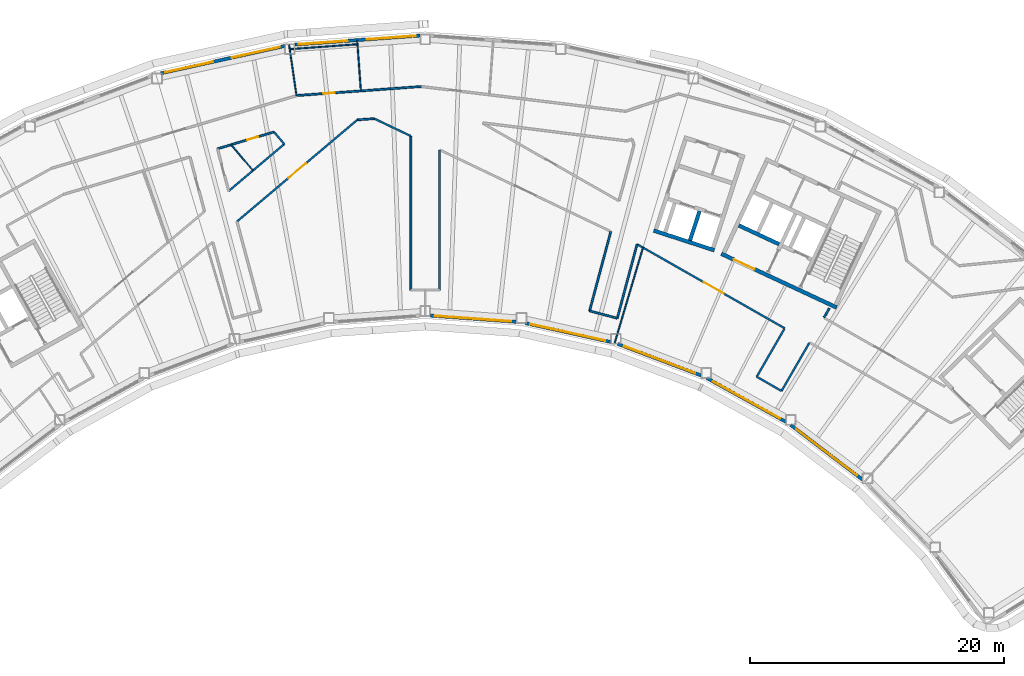
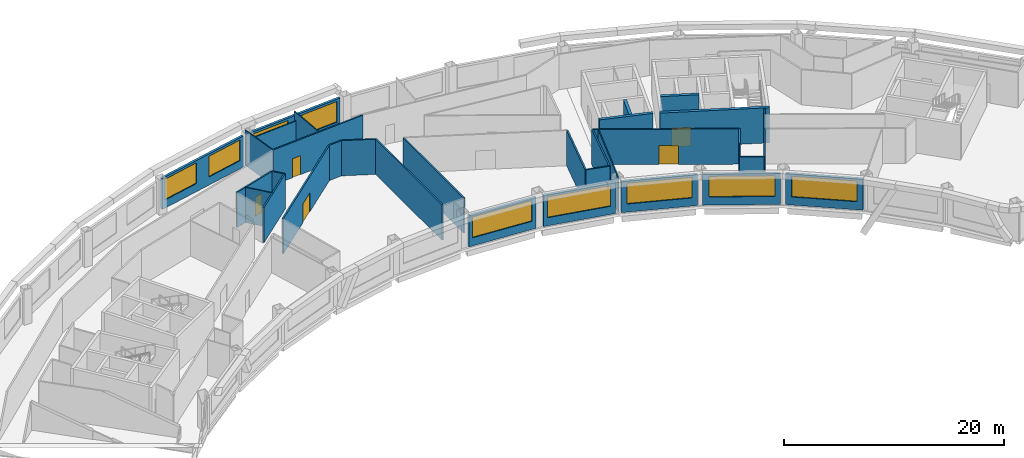
# One storey, part 7 of 13: 33 walls, 9 windows, 5 doors, 14 openings.
"""IFC4 building model written with IfcOpenShell, lengths in metres."""

from ifc_helpers import new_model, si_unit, direction, frame, frame_2d, origin, place, context, subcontext, project, spatial, rectangle, extrude, material, layer, layer_set, type_object, element, fill, save


model = new_model("IFC4")

# Units and contexts
model_context = context("Model", 3, precision=1e-05, world=origin(), true_north=direction((0.0, 1.0)))
body_context = subcontext(model_context, "Body", "Model", "MODEL_VIEW")
ifc_project = project(units=[si_unit("LENGTHUNIT", "METRE"), si_unit("AREAUNIT", "SQUARE_METRE"), si_unit("VOLUMEUNIT", "CUBIC_METRE"), si_unit("PLANEANGLEUNIT", "RADIAN"), si_unit("MASSUNIT", "GRAM", prefix="KILO")], contexts=[model_context])

# Site, building, storey
site_placement = place(None, origin())
site = spatial("IfcSite", under=ifc_project, at=site_placement, CompositionType="ELEMENT")
building_placement = place(site_placement, origin())
building = spatial("IfcBuilding", under=site, at=building_placement, Name="Tuul Gate Civic Tower", CompositionType="ELEMENT")
storey_placement = place(building_placement, frame((0.0, 0.0, 340.699951171875)))
storey = spatial("IfcBuildingStorey", under=building, at=storey_placement, Name="Level 77", CompositionType="ELEMENT", Elevation=340.699951171875)

# Wall, opening, door
ifc_material_1 = material(Name="Concrete C50/60", Category="concrete")
ifc_layer_1 = layer(ifc_material_1, 0.300048828125)
ifc_layer_set_1 = layer_set([ifc_layer_1], Name="Concrete C50/60")
wall_type_1 = type_object("IfcWallType", Name="Core wall C50/60", PredefinedType="SHEAR", material=ifc_layer_set_1)
wall_1_placement = place(storey_placement, frame((34.5283203125, -7.25, 0.0), z_axis=(0.0, 0.0, 1.0), x_axis=(-0.906310338845, 0.422612789327, 0.0)))
wall_1 = element("IfcWall", 1, at=wall_1_placement, inside=storey, type_object=wall_type_1, Name="Core wall", PredefinedType="SHEAR", context=body_context, shape_type="SweptSolid", body=[
    extrude(rectangle(XDim=9.999755859375, YDim=0.300048828125, at=frame_2d((5.0, 0.0))), origin(), (0.0, 0.0, 1.0), 3.900146484375),
])
opening_1_placement = place(wall_1_placement, frame((7.125, 0.0, 0.0)))
opening_1 = element("IfcOpeningElement", 2, at=opening_1_placement, cuts=wall_1, Name="Opening LB-E3-LOBBY-1", PredefinedType="OPENING", context=body_context, shape_type="SweptSolid", body=[
    extrude(rectangle(XDim=1.800048828125, YDim=2.10009765625, at=frame_2d((0.89990234375, 1.050048828125))), frame((0.0, 0.16015625, 0.0), z_axis=(0.0, -1.0, 0.0), x_axis=(1.0, 0.0, 0.0)), (0.0, 0.0, 1.0), 0.320068359375),
])
ifc_material_2 = material(Name="Steel", Category="steel")
door_type_1 = type_object("IfcDoorType", Name="Lobby door", OperationType="DOUBLE_DOOR_SINGLE_SWING", PredefinedType="DOOR", material=ifc_material_2)
door_1_placement = place(opening_1_placement, frame((1.800048828125, 0.0, 0.0), z_axis=(0.0, 0.0, 1.0), x_axis=(-1.0, 0.0, 0.0)))
door_1 = element("IfcDoor", 3, at=door_1_placement, inside=storey, type_object=door_type_1, Name="Lobby door E3-LOBBY", OperationType="DOUBLE_DOOR_SINGLE_SWING", OverallHeight=2.10009765625, OverallWidth=1.800048828125, PredefinedType="DOOR", context=body_context, shape_type="SweptSolid", body=[
    extrude(rectangle(XDim=1.800048828125, YDim=2.10009765625, at=frame_2d((0.900146484375, 1.050048828125))), frame((0.0, 0.02490234375, 0.0), z_axis=(0.0, -1.0, 0.0), x_axis=(1.0, 0.0, 0.0)), (0.0, 0.0, 1.0), 0.050048828125),
])
fill(opening_1, door_1)

# Wall
wall_2_placement = place(storey_placement, frame((30.0078125, -2.2734375, 0.0), z_axis=(0.0, 0.0, 1.0), x_axis=(-0.90630071767, 0.422633421716, 0.0)))
element("IfcWall", 4, at=wall_2_placement, inside=storey, type_object=wall_type_1, Name="Core wall", PredefinedType="SHEAR", context=body_context, shape_type="SweptSolid", body=[
    extrude(rectangle(XDim=3.5, YDim=0.300048828125, at=frame_2d((1.75, 0.0))), origin(), (0.0, 0.0, 1.0), 3.900146484375),
])

# Wall, opening, door
ifc_material_3 = material(Name="Gypsum board partition")
ifc_layer_2 = layer(ifc_material_3, 0.14990234375)
ifc_layer_set_2 = layer_set([ifc_layer_2], Name="Gypsum board partition")
wall_type_2 = type_object("IfcWallType", Name="Corridor wall P150", PredefinedType="PARTITIONING", material=ifc_layer_set_2)
wall_3_placement = place(storey_placement, frame((-7.875244140625, 9.413818359375, 0.0), z_axis=(0.0, 0.0, 1.0), x_axis=(0.99738628097, 0.07225376484, 0.0)))
wall_3 = element("IfcWall", 5, at=wall_3_placement, inside=storey, type_object=wall_type_2, Name="p016", PredefinedType="PARTITIONING", context=body_context, shape_type="SweptSolid", body=[
    extrude(rectangle(XDim=9.788818359375, YDim=0.14990234375, at=frame_2d((4.89453125, 0.0))), origin(), (0.0, 0.0, 1.0), 3.900146484375),
])
opening_2_placement = place(wall_3_placement, frame((2.060546875, 0.0, 0.0)))
opening_2 = element("IfcOpeningElement", 6, at=opening_2_placement, cuts=wall_3, Name="Opening AC-D03", PredefinedType="OPENING", context=body_context, shape_type="SweptSolid", body=[
    extrude(rectangle(XDim=0.89990234375, YDim=2.10009765625, at=frame_2d((0.449951171875, 1.050048828125))), frame((0.0, 0.0849609375, 0.0), z_axis=(0.0, -1.0, 0.0), x_axis=(1.0, 0.0, 0.0)), (0.0, 0.0, 1.0), 0.169921875),
])
ifc_material_4 = material(Name="Timber door leaf", Category="wood")
door_type_2 = type_object("IfcDoorType", Name="Door D09", OperationType="NOTDEFINED", PredefinedType="DOOR", material=ifc_material_4)
door_2_placement = place(opening_2_placement, origin())
door_2 = element("IfcDoor", 7, at=door_2_placement, inside=storey, type_object=door_type_2, Name="Door AC-D03", OperationType="SINGLE_SWING_RIGHT", OverallHeight=2.10009765625, OverallWidth=0.89990234375, PredefinedType="DOOR", context=body_context, shape_type="SweptSolid", body=[
    extrude(rectangle(XDim=0.89990234375, YDim=2.10009765625, at=frame_2d((0.449951171875, 1.050048828125))), frame((0.0, 0.02490234375, 0.0), z_axis=(0.0, -1.0, 0.0), x_axis=(1.0, 0.0, 0.0)), (0.0, 0.0, 1.0), 0.050048828125),
])
fill(opening_2, door_2)

wall_4_placement = place(storey_placement, frame((18.865966796875, -2.285888671875, 0.0), z_axis=(0.0, 0.0, 1.0), x_axis=(0.868901423434, -0.494985167813, 0.0)))
wall_4 = element("IfcWall", 8, at=wall_4_placement, inside=storey, type_object=wall_type_2, Name="p026", PredefinedType="PARTITIONING", context=body_context, shape_type="SweptSolid", body=[
    extrude(rectangle(XDim=13.313232421875, YDim=0.14990234375, at=frame_2d((6.65673828125, 0.0))), origin(), (0.0, 0.0, 1.0), 3.900146484375),
])
opening_3_placement = place(wall_4_placement, frame((6.012939453125, 0.0, 0.0)))
opening_3 = element("IfcOpeningElement", 9, at=opening_3_placement, cuts=wall_4, Name="Opening AC-D06", PredefinedType="OPENING", context=body_context, shape_type="SweptSolid", body=[
    extrude(rectangle(XDim=1.800048828125, YDim=2.10009765625, at=frame_2d((0.89990234375, 1.050048828125))), frame((0.0, 0.0849609375, 0.0), z_axis=(0.0, -1.0, 0.0), x_axis=(1.0, 0.0, 0.0)), (0.0, 0.0, 1.0), 0.169921875),
])
ifc_material_5 = material(Name="Timber door leaf, double", Category="wood")
door_type_3 = type_object("IfcDoorType", Name="Door D18", OperationType="DOUBLE_DOOR_SINGLE_SWING", PredefinedType="DOOR", material=ifc_material_5)
door_3_placement = place(opening_3_placement, frame((1.800048828125, 0.0, 0.0), z_axis=(0.0, 0.0, 1.0), x_axis=(-1.0, 0.0, 0.0)))
door_3 = element("IfcDoor", 10, at=door_3_placement, inside=storey, type_object=door_type_3, Name="Door AC-D06", OperationType="DOUBLE_DOOR_SINGLE_SWING", OverallHeight=2.10009765625, OverallWidth=1.800048828125, PredefinedType="DOOR", context=body_context, shape_type="SweptSolid", body=[
    extrude(rectangle(XDim=1.800048828125, YDim=2.10009765625, at=frame_2d((0.900146484375, 1.050048828125))), frame((0.0, 0.02490234375, 0.0), z_axis=(0.0, -1.0, 0.0), x_axis=(1.0, 0.0, 0.0)), (0.0, 0.0, 1.0), 0.050048828125),
])
fill(opening_3, door_3)

# Walls
wall_5_placement = place(storey_placement, frame((28.24951171875, -12.687744140625, 0.0), z_axis=(0.0, 0.0, 1.0), x_axis=(0.499999494409, 0.866025695687, 0.0)))
element("IfcWall", 11, at=wall_5_placement, inside=storey, type_object=wall_type_2, Name="p032", PredefinedType="PARTITIONING", context=body_context, shape_type="SweptSolid", body=[
    extrude(rectangle(XDim=4.37353515625, YDim=0.14990234375, at=frame_2d((2.186767578125, 0.0))), origin(), (0.0, 0.0, 1.0), 3.900146484375),
])
wall_6_placement = place(storey_placement, frame((28.24951171875, -12.687744140625, 0.0), z_axis=(0.0, 0.0, 1.0), x_axis=(0.866017533419, -0.500013631625, 0.0)))
element("IfcWall", 12, at=wall_6_placement, inside=storey, type_object=wall_type_2, Name="p033", PredefinedType="PARTITIONING", context=body_context, shape_type="SweptSolid", body=[
    extrude(rectangle(XDim=2.25, YDim=0.14990234375, at=frame_2d((1.125, 0.0))), origin(), (0.0, 0.0, 1.0), 3.900146484375),
])
wall_7_placement = place(storey_placement, frame((30.197998046875, -13.812744140625, 0.0), z_axis=(0.0, 0.0, 1.0), x_axis=(0.50001794124, 0.866015045157, 0.0)))
element("IfcWall", 13, at=wall_7_placement, inside=storey, type_object=wall_type_2, Name="p034", PredefinedType="PARTITIONING", context=body_context, shape_type="SweptSolid", body=[
    extrude(rectangle(XDim=4.386474609375, YDim=0.14990234375, at=frame_2d((2.193359375, 0.0))), origin(), (0.0, 0.0, 1.0), 3.900146484375),
])
wall_8_placement = place(storey_placement, frame((33.536376953125, -8.030517578125, 0.0), z_axis=(0.0, 0.0, 1.0), x_axis=(0.500189359247, 0.865916049566, 0.0)))
element("IfcWall", 14, at=wall_8_placement, inside=storey, type_object=wall_type_2, Name="p035", PredefinedType="PARTITIONING", context=body_context, shape_type="SweptSolid", body=[
    extrude(rectangle(XDim=0.829833984375, YDim=0.14990234375, at=frame_2d((0.4150390625, 0.0))), origin(), (0.0, 0.0, 1.0), 3.900146484375),
])
wall_9_placement = place(storey_placement, frame((3.31689453125, -5.873779296875, 0.0), z_axis=(0.0, 0.0, 1.0), x_axis=(0.0, 1.0, 0.0)))
element("IfcWall", 15, at=wall_9_placement, inside=storey, type_object=wall_type_2, Name="p037", PredefinedType="PARTITIONING", context=body_context, shape_type="SweptSolid", body=[
    extrude(rectangle(XDim=10.9931640625, YDim=0.14990234375, at=frame_2d((5.49658203125, 0.0))), origin(), (0.0, 0.0, 1.0), 3.900146484375),
])
wall_10_placement = place(storey_placement, frame((-1.807861328125, 7.595947265625, 0.0), z_axis=(0.0, 0.0, 1.0), x_axis=(0.90255363089, -0.430577453389, 0.0)))
element("IfcWall", 16, at=wall_10_placement, inside=storey, type_object=wall_type_2, Name="p038", PredefinedType="PARTITIONING", context=body_context, shape_type="SweptSolid", body=[
    extrude(rectangle(XDim=3.1787109375, YDim=0.14990234375, at=frame_2d((1.58935546875, 0.0))), origin(), (0.0, 0.0, 1.0), 3.900146484375),
])
wall_11_placement = place(storey_placement, frame((15.110107421875, -7.513427734375, 0.0), z_axis=(0.0, 0.0, 1.0), x_axis=(0.258813089189, 0.965927422152, 0.0)))
element("IfcWall", 17, at=wall_11_placement, inside=storey, type_object=wall_type_2, Name="p040", PredefinedType="PARTITIONING", context=body_context, shape_type="SweptSolid", body=[
    extrude(rectangle(XDim=6.444580078125, YDim=0.14990234375, at=frame_2d((3.22216796875, 0.0))), origin(), (0.0, 0.0, 1.0), 3.900146484375),
])
wall_12_placement = place(storey_placement, frame((15.110107421875, -7.513427734375, 0.0), z_axis=(0.0, 0.0, 1.0), x_axis=(0.965926253902, -0.258817449225, 0.0)))
element("IfcWall", 18, at=wall_12_placement, inside=storey, type_object=wall_type_2, Name="p042", PredefinedType="PARTITIONING", context=body_context, shape_type="SweptSolid", body=[
    extrude(rectangle(XDim=2.249755859375, YDim=0.14990234375, at=frame_2d((1.125, 0.0))), origin(), (0.0, 0.0, 1.0), 3.900146484375),
])
wall_13_placement = place(storey_placement, frame((17.283203125, -8.095703125, 0.0), z_axis=(0.0, 0.0, 1.0), x_axis=(0.258894566338, 0.965905587271, 0.0)))
element("IfcWall", 19, at=wall_13_placement, inside=storey, type_object=wall_type_2, Name="p043", PredefinedType="PARTITIONING", context=body_context, shape_type="SweptSolid", body=[
    extrude(rectangle(XDim=6.006103515625, YDim=0.14990234375, at=frame_2d((3.0029296875, 0.0))), origin(), (0.0, 0.0, 1.0), 3.900146484375),
])

# Wall, opening, door
wall_14_placement = place(storey_placement, frame((-12.59912109375, -0.48486328125, 0.0), z_axis=(0.0, 0.0, 1.0), x_axis=(0.763915983637, 0.645315713387, 0.0)))
wall_14 = element("IfcWall", 20, at=wall_14_placement, inside=storey, type_object=wall_type_2, Name="p051", PredefinedType="PARTITIONING", context=body_context, shape_type="SweptSolid", body=[
    extrude(rectangle(XDim=12.37158203125, YDim=0.14990234375, at=frame_2d((6.185791015625, 0.0))), origin(), (0.0, 0.0, 1.0), 3.900146484375),
])
opening_4_placement = place(wall_14_placement, frame((5.285888671875, 0.0, 0.0)))
opening_4 = element("IfcOpeningElement", 21, at=opening_4_placement, cuts=wall_14, Name="Opening AC-D08", PredefinedType="OPENING", context=body_context, shape_type="SweptSolid", body=[
    extrude(rectangle(XDim=1.800048828125, YDim=2.10009765625, at=frame_2d((0.89990234375, 1.050048828125))), frame((0.0, 0.0849609375, 0.0), z_axis=(0.0, -1.0, 0.0), x_axis=(1.0, 0.0, 0.0)), (0.0, 0.0, 1.0), 0.169921875),
])
door_4_placement = place(opening_4_placement, frame((1.800048828125, 0.0, 0.0), z_axis=(0.0, 0.0, 1.0), x_axis=(-1.0, 0.0, 0.0)))
door_4 = element("IfcDoor", 22, at=door_4_placement, inside=storey, type_object=door_type_3, Name="Door AC-D08", OperationType="DOUBLE_DOOR_SINGLE_SWING", OverallHeight=2.10009765625, OverallWidth=1.800048828125, PredefinedType="DOOR", context=body_context, shape_type="SweptSolid", body=[
    extrude(rectangle(XDim=1.800048828125, YDim=2.10009765625, at=frame_2d((0.900146484375, 1.050048828125))), frame((0.0, 0.02490234375, 0.0), z_axis=(0.0, -1.0, 0.0), x_axis=(1.0, 0.0, 0.0)), (0.0, 0.0, 1.0), 0.050048828125),
])
fill(opening_4, door_4)

# Walls
wall_15_placement = place(storey_placement, frame((-3.14013671875, 7.5009765625, 0.0), z_axis=(0.0, 0.0, 1.0), x_axis=(0.997384411687, 0.072279563672, 0.0)))
element("IfcWall", 23, at=wall_15_placement, inside=storey, type_object=wall_type_2, Name="p052", PredefinedType="PARTITIONING", context=body_context, shape_type="SweptSolid", body=[
    extrude(rectangle(XDim=1.327392578125, YDim=0.14990234375, at=frame_2d((0.66357421875, 0.0))), origin(), (0.0, 0.0, 1.0), 3.900146484375),
])
wall_16_placement = place(storey_placement, frame((1.06689453125, -5.873779296875, 0.0), z_axis=(0.0, 0.0, 1.0), x_axis=(0.0, 1.0, 0.0)))
element("IfcWall", 24, at=wall_16_placement, inside=storey, type_object=wall_type_2, Name="p053", PredefinedType="PARTITIONING", context=body_context, shape_type="SweptSolid", body=[
    extrude(rectangle(XDim=12.085693359375, YDim=0.14990234375, at=frame_2d((6.04296875, 0.0))), origin(), (0.0, 0.0, 1.0), 3.900146484375),
])

# Wall, opening, door
wall_17_placement = place(storey_placement, frame((-14.14013671875, 5.228515625, 0.0), z_axis=(0.0, 0.0, 1.0), x_axis=(0.958755114253, 0.28423340918, 0.0)))
wall_17 = element("IfcWall", 25, at=wall_17_placement, inside=storey, type_object=wall_type_2, Name="p070", PredefinedType="PARTITIONING", context=body_context, shape_type="SweptSolid", body=[
    extrude(rectangle(XDim=4.640869140625, YDim=0.14990234375, at=frame_2d((2.3203125, 0.0))), origin(), (0.0, 0.0, 1.0), 3.900146484375),
])
opening_5_placement = place(wall_17_placement, frame((2.43310546875, 0.0, 0.0)))
opening_5 = element("IfcOpeningElement", 26, at=opening_5_placement, cuts=wall_17, Name="Opening AC-D11", PredefinedType="OPENING", context=body_context, shape_type="SweptSolid", body=[
    extrude(rectangle(XDim=0.89990234375, YDim=2.10009765625, at=frame_2d((0.449951171875, 1.050048828125))), frame((0.0, 0.0849609375, 0.0), z_axis=(0.0, -1.0, 0.0), x_axis=(1.0, 0.0, 0.0)), (0.0, 0.0, 1.0), 0.169921875),
])
door_5_placement = place(opening_5_placement, frame((0.89990234375, 0.0, 0.0), z_axis=(0.0, 0.0, 1.0), x_axis=(-1.0, 0.0, 0.0)))
door_5 = element("IfcDoor", 27, at=door_5_placement, inside=storey, type_object=door_type_2, Name="Door AC-D11", OperationType="SINGLE_SWING_RIGHT", OverallHeight=2.10009765625, OverallWidth=0.89990234375, PredefinedType="DOOR", context=body_context, shape_type="SweptSolid", body=[
    extrude(rectangle(XDim=0.89990234375, YDim=2.10009765625, at=frame_2d((0.449951171875, 1.050048828125))), frame((0.0, 0.02490234375, 0.0), z_axis=(0.0, -1.0, 0.0), x_axis=(1.0, 0.0, 0.0)), (0.0, 0.0, 1.0), 0.050048828125),
])
fill(opening_5, door_5)

# Walls
wall_18_placement = place(storey_placement, frame((-9.690673828125, 6.547607421875, 0.0), z_axis=(0.0, 0.0, 1.0), x_axis=(0.645300357317, -0.763928955366, 0.0)))
element("IfcWall", 28, at=wall_18_placement, inside=storey, type_object=wall_type_2, Name="p071", PredefinedType="PARTITIONING", context=body_context, shape_type="SweptSolid", body=[
    extrude(rectangle(XDim=1.2451171875, YDim=0.14990234375, at=frame_2d((0.62255859375, 0.0))), origin(), (0.0, 0.0, 1.0), 3.900146484375),
])
wall_19_placement = place(storey_placement, frame((-13.2509765625, 1.909912109375, 0.0), z_axis=(0.0, 0.0, 1.0), x_axis=(0.763895070032, 0.645340469815, 0.0)))
element("IfcWall", 29, at=wall_19_placement, inside=storey, type_object=wall_type_2, Name="p073", PredefinedType="PARTITIONING", context=body_context, shape_type="SweptSolid", body=[
    extrude(rectangle(XDim=5.712646484375, YDim=0.14990234375, at=frame_2d((2.8564453125, 0.0))), origin(), (0.0, 0.0, 1.0), 3.900146484375),
])

# Wall, openings, windows
ifc_material_6 = material(Name="Precast concrete C40/50", Category="concrete")
ifc_layer_3 = layer(ifc_material_6, 0.25)
ifc_layer_set_3 = layer_set([ifc_layer_3], Name="Precast concrete C40/50")
wall_type_3 = type_object("IfcWallType", Name="External wall", PredefinedType="STANDARD", material=ifc_layer_set_3)
wall_20_placement = place(storey_placement, frame((1.7919921875, 14.124755859375, 0.0), z_axis=(0.0, 0.0, 1.0), x_axis=(-0.997387042659, -0.072243249762, 0.0)))
wall_20 = element("IfcWall", 30, at=wall_20_placement, inside=storey, type_object=wall_type_3, Name="External wall", PredefinedType="STANDARD", context=body_context, shape_type="SweptSolid", body=[
    extrude(rectangle(XDim=9.874755859375, YDim=0.25, at=frame_2d((4.9375, 0.0))), origin(), (0.0, 0.0, 1.0), 3.449951171875),
])
opening_6_placement = place(wall_20_placement, frame((0.350341796875, 0.0, 0.89990234375)))
opening_6 = element("IfcOpeningElement", 31, at=opening_6_placement, cuts=wall_20, Name="Opening W22", PredefinedType="OPENING", context=body_context, shape_type="SweptSolid", body=[
    extrude(rectangle(XDim=3.85009765625, YDim=2.300048828125, at=frame_2d((1.925048828125, 1.14990234375))), frame((0.0, 0.135009765625, 0.0), z_axis=(0.0, -1.0, 0.0), x_axis=(1.0, 0.0, 0.0)), (0.0, 0.0, 1.0), 0.27001953125),
])
opening_7_placement = place(wall_20_placement, frame((5.721435546875, 0.0, 0.89990234375)))
opening_7 = element("IfcOpeningElement", 32, at=opening_7_placement, cuts=wall_20, Name="Opening W22", PredefinedType="OPENING", context=body_context, shape_type="SweptSolid", body=[
    extrude(rectangle(XDim=3.85009765625, YDim=2.300048828125, at=frame_2d((1.925048828125, 1.14990234375))), frame((0.0, 0.135009765625, 0.0), z_axis=(0.0, -1.0, 0.0), x_axis=(1.0, 0.0, 0.0)), (0.0, 0.0, 1.0), 0.27001953125),
])
ifc_material_7 = material(Name="Glass", Category="glass")
window_type_1 = type_object("IfcWindowType", Name="Window W22 3850 x 2300", PartitioningType="SINGLE_PANEL", PredefinedType="WINDOW", material=ifc_material_7)
window_1_placement = place(opening_6_placement, origin())
window_1 = element("IfcWindow", 33, at=window_1_placement, inside=storey, type_object=window_type_1, Name="Window", OverallHeight=2.300048828125, OverallWidth=3.85009765625, PartitioningType="SINGLE_PANEL", PredefinedType="WINDOW", context=body_context, shape_type="SweptSolid", body=[
    extrude(rectangle(XDim=3.85009765625, YDim=2.300048828125, at=frame_2d((1.925048828125, 1.14990234375))), frame((0.0, 0.030029296875, 0.0), z_axis=(0.0, -1.0, 0.0), x_axis=(1.0, 0.0, 0.0)), (0.0, 0.0, 1.0), 0.06005859375),
])
fill(opening_6, window_1)
window_2_placement = place(opening_7_placement, origin())
window_2 = element("IfcWindow", 34, at=window_2_placement, inside=storey, type_object=window_type_1, Name="Window", OverallHeight=2.300048828125, OverallWidth=3.85009765625, PartitioningType="SINGLE_PANEL", PredefinedType="WINDOW", context=body_context, shape_type="SweptSolid", body=[
    extrude(rectangle(XDim=3.85009765625, YDim=2.300048828125, at=frame_2d((1.925048828125, 1.14990234375))), frame((0.0, 0.030029296875, 0.0), z_axis=(0.0, -1.0, 0.0), x_axis=(1.0, 0.0, 0.0)), (0.0, 0.0, 1.0), 0.06005859375),
])
fill(opening_7, window_2)

wall_21_placement = place(storey_placement, frame((-8.85693359375, 13.30126953125, 0.0), z_axis=(0.0, 0.0, 1.0), x_axis=(-0.97656455672, -0.215224688544, 0.0)))
wall_21 = element("IfcWall", 35, at=wall_21_placement, inside=storey, type_object=wall_type_3, Name="External wall", PredefinedType="STANDARD", context=body_context, shape_type="SweptSolid", body=[
    extrude(rectangle(XDim=9.95849609375, YDim=0.25, at=frame_2d((4.979248046875, 0.0))), origin(), (0.0, 0.0, 1.0), 3.449951171875),
])
opening_8_placement = place(wall_21_placement, frame((0.39013671875, 0.0, 0.89990234375)))
opening_8 = element("IfcOpeningElement", 36, at=opening_8_placement, cuts=wall_21, Name="Opening W22", PredefinedType="OPENING", context=body_context, shape_type="SweptSolid", body=[
    extrude(rectangle(XDim=3.85009765625, YDim=2.300048828125, at=frame_2d((1.925048828125, 1.14990234375))), frame((0.0, 0.135009765625, 0.0), z_axis=(0.0, -1.0, 0.0), x_axis=(1.0, 0.0, 0.0)), (0.0, 0.0, 1.0), 0.27001953125),
])
opening_9_placement = place(wall_21_placement, frame((5.761474609375, 0.0, 0.89990234375)))
opening_9 = element("IfcOpeningElement", 37, at=opening_9_placement, cuts=wall_21, Name="Opening W22", PredefinedType="OPENING", context=body_context, shape_type="SweptSolid", body=[
    extrude(rectangle(XDim=3.85009765625, YDim=2.300048828125, at=frame_2d((1.925048828125, 1.14990234375))), frame((0.0, 0.135009765625, 0.0), z_axis=(0.0, -1.0, 0.0), x_axis=(1.0, 0.0, 0.0)), (0.0, 0.0, 1.0), 0.27001953125),
])
window_3_placement = place(opening_8_placement, origin())
window_3 = element("IfcWindow", 38, at=window_3_placement, inside=storey, type_object=window_type_1, Name="Window", OverallHeight=2.300048828125, OverallWidth=3.85009765625, PartitioningType="SINGLE_PANEL", PredefinedType="WINDOW", context=body_context, shape_type="SweptSolid", body=[
    extrude(rectangle(XDim=3.85009765625, YDim=2.300048828125, at=frame_2d((1.925048828125, 1.14990234375))), frame((0.0, 0.030029296875, 0.0), z_axis=(0.0, -1.0, 0.0), x_axis=(1.0, 0.0, 0.0)), (0.0, 0.0, 1.0), 0.06005859375),
])
fill(opening_8, window_3)
window_4_placement = place(opening_9_placement, origin())
window_4 = element("IfcWindow", 39, at=window_4_placement, inside=storey, type_object=window_type_1, Name="Window", OverallHeight=2.300048828125, OverallWidth=3.85009765625, PartitioningType="SINGLE_PANEL", PredefinedType="WINDOW", context=body_context, shape_type="SweptSolid", body=[
    extrude(rectangle(XDim=3.85009765625, YDim=2.300048828125, at=frame_2d((1.925048828125, 1.14990234375))), frame((0.0, 0.030029296875, 0.0), z_axis=(0.0, -1.0, 0.0), x_axis=(1.0, 0.0, 0.0)), (0.0, 0.0, 1.0), 0.06005859375),
])
fill(opening_9, window_4)

# Wall, opening, window
wall_22_placement = place(storey_placement, frame((2.592041015625, -7.882568359375, 0.0), z_axis=(0.0, 0.0, 1.0), x_axis=(0.997384795983, -0.072274260578, 0.0)))
wall_22 = element("IfcWall", 40, at=wall_22_placement, inside=storey, type_object=wall_type_3, Name="External wall", PredefinedType="STANDARD", context=body_context, shape_type="SweptSolid", body=[
    extrude(rectangle(XDim=6.789794921875, YDim=0.25, at=frame_2d((3.39501953125, 0.0))), origin(), (0.0, 0.0, 1.0), 3.449951171875),
])
opening_10_placement = place(wall_22_placement, frame((0.371337890625, 0.0, 0.89990234375)))
opening_10 = element("IfcOpeningElement", 41, at=opening_10_placement, cuts=wall_22, Name="Opening W26", PredefinedType="OPENING", context=body_context, shape_type="SweptSolid", body=[
    extrude(rectangle(XDim=6.0, YDim=2.300048828125, at=frame_2d((3.0, 1.14990234375))), frame((0.0, 0.135009765625, 0.0), z_axis=(0.0, -1.0, 0.0), x_axis=(1.0, 0.0, 0.0)), (0.0, 0.0, 1.0), 0.27001953125),
])
ifc_material_8 = material(Name="Glass", Category="glass")
window_type_2 = type_object("IfcWindowType", Name="Window W26 6000 x 2300", PartitioningType="SINGLE_PANEL", PredefinedType="WINDOW", material=ifc_material_8)
window_5_placement = place(opening_10_placement, origin())
window_5 = element("IfcWindow", 42, at=window_5_placement, inside=storey, type_object=window_type_2, Name="Window", OverallHeight=2.300048828125, OverallWidth=6.0, PartitioningType="SINGLE_PANEL", PredefinedType="WINDOW", context=body_context, shape_type="SweptSolid", body=[
    extrude(rectangle(XDim=6.0, YDim=2.300048828125, at=frame_2d((3.0, 1.14990234375))), frame((0.0, 0.030029296875, 0.0), z_axis=(0.0, -1.0, 0.0), x_axis=(1.0, 0.0, 0.0)), (0.0, 0.0, 1.0), 0.06005859375),
])
fill(opening_10, window_5)

wall_23_placement = place(storey_placement, frame((10.071044921875, -8.47705078125, 0.0), z_axis=(0.0, 0.0, 1.0), x_axis=(0.976561146318, -0.215240162382, 0.0)))
wall_23 = element("IfcWall", 43, at=wall_23_placement, inside=storey, type_object=wall_type_3, Name="External wall", PredefinedType="STANDARD", context=body_context, shape_type="SweptSolid", body=[
    extrude(rectangle(XDim=6.867919921875, YDim=0.25, at=frame_2d((3.43408203125, 0.0))), origin(), (0.0, 0.0, 1.0), 3.449951171875),
])
opening_11_placement = place(wall_23_placement, frame((0.409912109375, 0.0, 0.89990234375)))
opening_11 = element("IfcOpeningElement", 44, at=opening_11_placement, cuts=wall_23, Name="Opening W26", PredefinedType="OPENING", context=body_context, shape_type="SweptSolid", body=[
    extrude(rectangle(XDim=6.0, YDim=2.300048828125, at=frame_2d((3.0, 1.14990234375))), frame((0.0, 0.135009765625, 0.0), z_axis=(0.0, -1.0, 0.0), x_axis=(1.0, 0.0, 0.0)), (0.0, 0.0, 1.0), 0.27001953125),
])
window_6_placement = place(opening_11_placement, origin())
window_6 = element("IfcWindow", 45, at=window_6_placement, inside=storey, type_object=window_type_2, Name="Window", OverallHeight=2.300048828125, OverallWidth=6.0, PartitioningType="SINGLE_PANEL", PredefinedType="WINDOW", context=body_context, shape_type="SweptSolid", body=[
    extrude(rectangle(XDim=6.0, YDim=2.300048828125, at=frame_2d((3.0, 1.14990234375))), frame((0.0, 0.030029296875, 0.0), z_axis=(0.0, -1.0, 0.0), x_axis=(1.0, 0.0, 0.0)), (0.0, 0.0, 1.0), 0.06005859375),
])
fill(opening_11, window_6)

wall_24_placement = place(storey_placement, frame((17.315185546875, -10.110107421875, 0.0), z_axis=(0.0, 0.0, 1.0), x_axis=(0.93536342071, -0.353688098751, 0.0)))
wall_24 = element("IfcWall", 46, at=wall_24_placement, inside=storey, type_object=wall_type_3, Name="External wall", PredefinedType="STANDARD", context=body_context, shape_type="SweptSolid", body=[
    extrude(rectangle(XDim=7.017333984375, YDim=0.25, at=frame_2d((3.5087890625, 0.0))), origin(), (0.0, 0.0, 1.0), 3.449951171875),
])
opening_12_placement = place(wall_24_placement, frame((0.52587890625, 0.0, 0.89990234375)))
opening_12 = element("IfcOpeningElement", 47, at=opening_12_placement, cuts=wall_24, Name="Opening W26", PredefinedType="OPENING", context=body_context, shape_type="SweptSolid", body=[
    extrude(rectangle(XDim=6.0, YDim=2.300048828125, at=frame_2d((3.0, 1.14990234375))), frame((0.0, 0.135009765625, 0.0), z_axis=(0.0, -1.0, 0.0), x_axis=(1.0, 0.0, 0.0)), (0.0, 0.0, 1.0), 0.27001953125),
])
window_7_placement = place(opening_12_placement, origin())
window_7 = element("IfcWindow", 48, at=window_7_placement, inside=storey, type_object=window_type_2, Name="Window", OverallHeight=2.300048828125, OverallWidth=6.0, PartitioningType="SINGLE_PANEL", PredefinedType="WINDOW", context=body_context, shape_type="SweptSolid", body=[
    extrude(rectangle(XDim=6.0, YDim=2.300048828125, at=frame_2d((3.0, 1.14990234375))), frame((0.0, 0.030029296875, 0.0), z_axis=(0.0, -1.0, 0.0), x_axis=(1.0, 0.0, 0.0)), (0.0, 0.0, 1.0), 0.06005859375),
])
fill(opening_12, window_7)

wall_25_placement = place(storey_placement, frame((24.33056640625, -12.7958984375, 0.0), z_axis=(0.0, 0.0, 1.0), x_axis=(0.874614232828, -0.484819496034, 0.0)))
wall_25 = element("IfcWall", 49, at=wall_25_placement, inside=storey, type_object=wall_type_3, Name="External wall", PredefinedType="STANDARD", context=body_context, shape_type="SweptSolid", body=[
    extrude(rectangle(XDim=7.07568359375, YDim=0.25, at=frame_2d((3.537841796875, 0.0))), origin(), (0.0, 0.0, 1.0), 3.449951171875),
])
opening_13_placement = place(wall_25_placement, frame((0.556396484375, 0.0, 0.89990234375)))
opening_13 = element("IfcOpeningElement", 50, at=opening_13_placement, cuts=wall_25, Name="Opening W26", PredefinedType="OPENING", context=body_context, shape_type="SweptSolid", body=[
    extrude(rectangle(XDim=6.0, YDim=2.300048828125, at=frame_2d((3.0, 1.14990234375))), frame((0.0, 0.135009765625, 0.0), z_axis=(0.0, -1.0, 0.0), x_axis=(1.0, 0.0, 0.0)), (0.0, 0.0, 1.0), 0.27001953125),
])
window_8_placement = place(opening_13_placement, origin())
window_8 = element("IfcWindow", 51, at=window_8_placement, inside=storey, type_object=window_type_2, Name="Window", OverallHeight=2.300048828125, OverallWidth=6.0, PartitioningType="SINGLE_PANEL", PredefinedType="WINDOW", context=body_context, shape_type="SweptSolid", body=[
    extrude(rectangle(XDim=6.0, YDim=2.300048828125, at=frame_2d((3.0, 1.14990234375))), frame((0.0, 0.030029296875, 0.0), z_axis=(0.0, -1.0, 0.0), x_axis=(1.0, 0.0, 0.0)), (0.0, 0.0, 1.0), 0.06005859375),
])
fill(opening_13, window_8)

wall_26_placement = place(storey_placement, frame((30.9072265625, -16.47607421875, 0.0), z_axis=(0.0, 0.0, 1.0), x_axis=(0.795582375141, -0.605845429433, 0.0)))
wall_26 = element("IfcWall", 52, at=wall_26_placement, inside=storey, type_object=wall_type_3, Name="External wall", PredefinedType="STANDARD", context=body_context, shape_type="SweptSolid", body=[
    extrude(rectangle(XDim=7.10400390625, YDim=0.25, at=frame_2d((3.552001953125, 0.0))), origin(), (0.0, 0.0, 1.0), 3.449951171875),
])
opening_14_placement = place(wall_26_placement, frame((0.562744140625, 0.0, 0.89990234375)))
opening_14 = element("IfcOpeningElement", 53, at=opening_14_placement, cuts=wall_26, Name="Opening W26", PredefinedType="OPENING", context=body_context, shape_type="SweptSolid", body=[
    extrude(rectangle(XDim=6.0, YDim=2.300048828125, at=frame_2d((3.0, 1.14990234375))), frame((0.0, 0.135009765625, 0.0), z_axis=(0.0, -1.0, 0.0), x_axis=(1.0, 0.0, 0.0)), (0.0, 0.0, 1.0), 0.27001953125),
])
window_9_placement = place(opening_14_placement, origin())
window_9 = element("IfcWindow", 54, at=window_9_placement, inside=storey, type_object=window_type_2, Name="Window", OverallHeight=2.300048828125, OverallWidth=6.0, PartitioningType="SINGLE_PANEL", PredefinedType="WINDOW", context=body_context, shape_type="SweptSolid", body=[
    extrude(rectangle(XDim=6.0, YDim=2.300048828125, at=frame_2d((3.0, 1.14990234375))), frame((0.0, 0.030029296875, 0.0), z_axis=(0.0, -1.0, 0.0), x_axis=(1.0, 0.0, 0.0)), (0.0, 0.0, 1.0), 0.06005859375),
])
fill(opening_14, window_9)

# Walls
ifc_material_9 = material(Name="Concrete C40/50", Category="concrete")
ifc_layer_4 = layer(ifc_material_9, 0.300048828125)
ifc_layer_set_4 = layer_set([ifc_layer_4], Name="Concrete C40/50")
wall_type_4 = type_object("IfcWallType", Name="Lift shaft wall C40/50", PredefinedType="STANDARD", material=ifc_layer_set_4)
wall_27_placement = place(storey_placement, frame((24.911376953125, -2.746337890625, 0.0), z_axis=(0.0, 0.0, 1.0), x_axis=(-0.951067792613, 0.308982287281, 0.0)))
element("IfcWall", 55, at=wall_27_placement, inside=storey, type_object=wall_type_4, Name="Shaft wall", PredefinedType="STANDARD", context=body_context, shape_type="SweptSolid", body=[
    extrude(rectangle(XDim=5.0, YDim=0.300048828125, at=frame_2d((2.5, 0.0))), origin(), (0.0, 0.0, 1.0), 3.900146484375),
])
wall_28_placement = place(storey_placement, frame((23.008056640625, -1.97021484375, 0.0), z_axis=(0.0, 0.0, 1.0), x_axis=(0.309138975195, 0.951016873675, 0.0)))
element("IfcWall", 56, at=wall_28_placement, inside=storey, type_object=wall_type_4, Name="Shaft wall", PredefinedType="STANDARD", context=body_context, shape_type="SweptSolid", body=[
    extrude(rectangle(XDim=2.400146484375, YDim=0.300048828125, at=frame_2d((1.2001953125, 0.0))), origin(), (0.0, 0.0, 1.0), 3.900146484375),
])
ifc_material_10 = material(Name="Gypsum board partition")
ifc_layer_5 = layer(ifc_material_10, 0.10009765625)
ifc_layer_set_5 = layer_set([ifc_layer_5], Name="Gypsum board partition")
wall_type_5 = type_object("IfcWallType", Name="Partition P100", PredefinedType="PARTITIONING", material=ifc_layer_set_5)
wall_29_placement = place(storey_placement, frame((-3.156494140625, 13.771240234375, 0.0), z_axis=(0.0, 0.0, 1.0), x_axis=(0.072234713251, -0.997387660943, 0.0)))
element("IfcWall", 57, at=wall_29_placement, inside=storey, type_object=wall_type_5, Name="p015", PredefinedType="PARTITIONING", context=body_context, shape_type="SweptSolid", body=[
    extrude(rectangle(XDim=4.005126953125, YDim=0.10009765625, at=frame_2d((2.00244140625, 0.0))), origin(), (0.0, 0.0, 1.0), 3.900146484375),
])
wall_30_placement = place(storey_placement, frame((-8.505126953125, 13.3837890625, 0.0), z_axis=(0.0, 0.0, 1.0), x_axis=(0.144128774578, -0.989558940306, 0.0)))
element("IfcWall", 58, at=wall_30_placement, inside=storey, type_object=wall_type_5, Name="p017", PredefinedType="PARTITIONING", context=body_context, shape_type="SweptSolid", body=[
    extrude(rectangle(XDim=4.0263671875, YDim=0.10009765625, at=frame_2d((2.01318359375, 0.0))), origin(), (0.0, 0.0, 1.0), 3.900146484375),
])
wall_31_placement = place(storey_placement, frame((17.083251953125, -10.027587890625, 0.0), z_axis=(0.0, 0.0, 1.0), x_axis=(0.285217027283, 0.958462960864, 0.0)))
element("IfcWall", 59, at=wall_31_placement, inside=storey, type_object=wall_type_5, Name="p031", PredefinedType="PARTITIONING", context=body_context, shape_type="SweptSolid", body=[
    extrude(rectangle(XDim=7.8125, YDim=0.10009765625, at=frame_2d((3.90625, 0.0))), origin(), (0.0, 0.0, 1.0), 3.900146484375),
])
wall_32_placement = place(storey_placement, frame((-13.061767578125, 5.54833984375, 0.0), z_axis=(0.0, 0.0, 1.0), x_axis=(0.645311903312, -0.76391920217, 0.0)))
element("IfcWall", 60, at=wall_32_placement, inside=storey, type_object=wall_type_5, Name="p074", PredefinedType="PARTITIONING", context=body_context, shape_type="SweptSolid", body=[
    extrude(rectangle(XDim=2.657470703125, YDim=0.10009765625, at=frame_2d((1.32861328125, 0.0))), origin(), (0.0, 0.0, 1.0), 3.900146484375),
])
ifc_material_11 = material(Name="Gypsum board partition")
ifc_layer_6 = layer(ifc_material_11, 0.10009765625)
ifc_layer_set_6 = layer_set([ifc_layer_6], Name="Gypsum board partition")
wall_type_6 = type_object("IfcWallType", Name="Partition P100 3000 HIGH", PredefinedType="PARTITIONING", material=ifc_layer_set_6)
wall_33_placement = place(storey_placement, frame((-8.45703125, 13.056396484375, 0.0), z_axis=(0.0, 0.0, 1.0), x_axis=(0.997385751492, 0.072261073338, 0.0)))
element("IfcWall", 61, at=wall_33_placement, inside=storey, type_object=wall_type_6, Name="p090", PredefinedType="PARTITIONING", context=body_context, shape_type="SweptSolid", body=[
    extrude(rectangle(XDim=5.338134765625, YDim=0.10009765625, at=frame_2d((2.6689453125, 0.0))), origin(), (0.0, 0.0, 1.0), 3.0),
])

save(model, "model.ifc")
